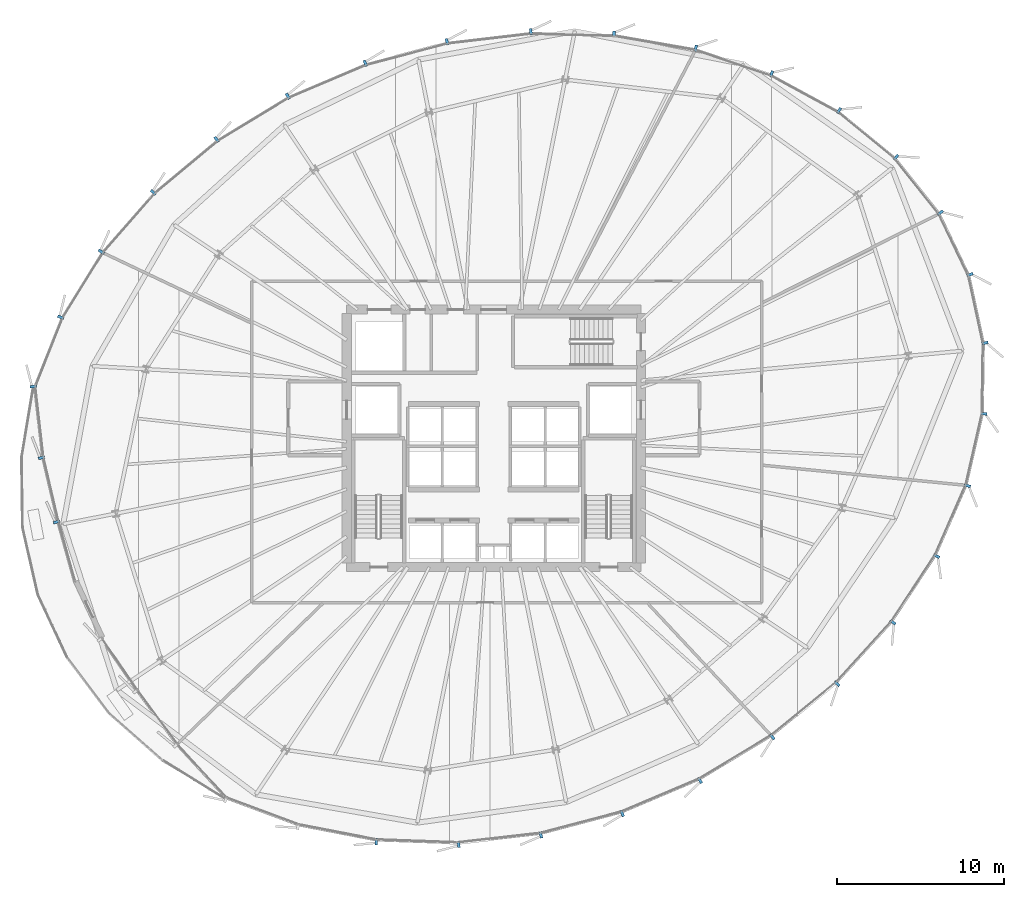
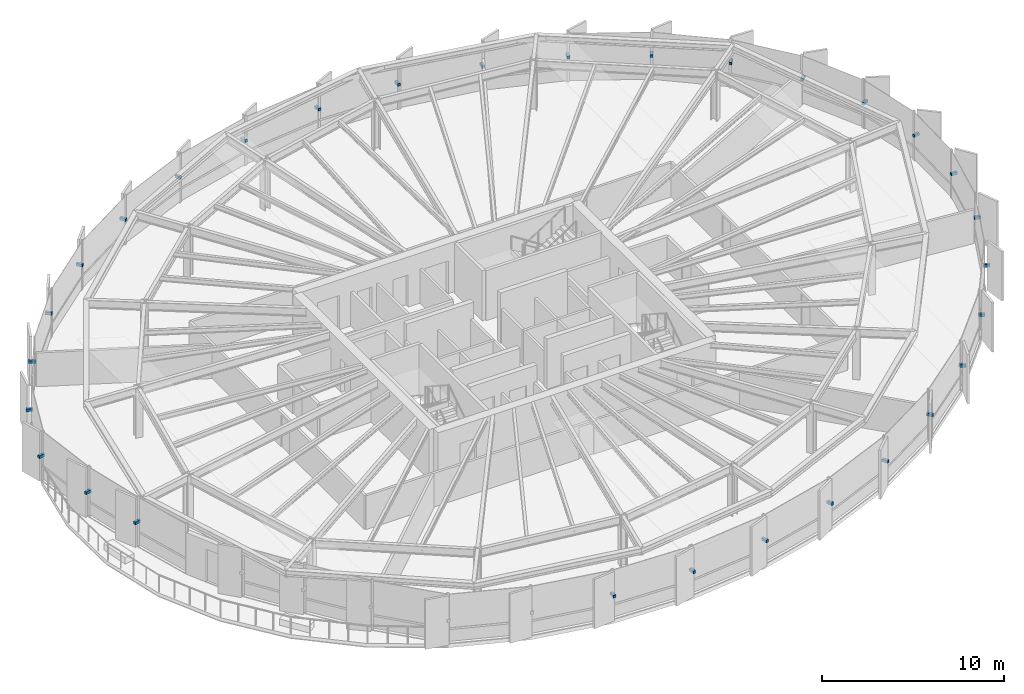
# One storey, part 29 of 33: 30 discrete accessories.
"""IFC4 building model written with IfcOpenShell, lengths in metres."""

from ifc_helpers import new_model, si_unit, direction, frame, origin, origin_2d, place, context, subcontext, project, spatial, rectangle, extrude, source, transform, mapped, material, type_object, element, save


model = new_model("IFC4")

# Units and contexts
model_context = context("Model", 3, precision=1e-05, world=origin(), true_north=direction((0.0, 1.0)))
body_context = subcontext(model_context, "Body", "Model", "MODEL_VIEW")
ifc_project = project(units=[si_unit("LENGTHUNIT", "METRE"), si_unit("AREAUNIT", "SQUARE_METRE"), si_unit("VOLUMEUNIT", "CUBIC_METRE"), si_unit("PLANEANGLEUNIT", "RADIAN"), si_unit("MASSUNIT", "GRAM", prefix="KILO"), si_unit("THERMODYNAMICTEMPERATUREUNIT", "KELVIN")], contexts=[model_context])

# Site, building, storey
site_placement = place(None, origin())
site = spatial("IfcSite", under=ifc_project, at=site_placement, CompositionType="ELEMENT")
building_placement = place(site_placement, origin())
building = spatial("IfcBuilding", under=site, at=building_placement, Name="Kethvar Cultural Tower", CompositionType="ELEMENT")
storey_placement = place(building_placement, frame((0.0, 0.0, 110.800048828125)))
storey = spatial("IfcBuildingStorey", under=building, at=storey_placement, Name="L27", CompositionType="ELEMENT", Elevation=110.800048828125)

# Discrete accessories
ifc_material = material(Name="Steel S355J2", Category="steel")
discrete_accessory_type = type_object("IfcDiscreteAccessoryType", Name="Steel Fin Bracket BRK-01", PredefinedType="BRACKET", material=ifc_material)
shared_shape = source(origin(), body_context, "Body", "SweptSolid", [
    extrude(rectangle(XDim=0.3798828125, YDim=0.159912109375, at=origin_2d()), origin(), (0.0, 0.0, 1.0), 0.179931640625),
])
for number, where, z_axis, x_axis, name in (
    (1, (75.28857421875, 37.595947265625, 1.5849609375), (0.0, 0.0, 1.0), (0.90175709948, 0.432243141689, 0.0), "L27 Terracotta Fin Bracket 1.1"),
    (2, (73.512451171875, 41.30078125, 1.5849609375), (0.0, 0.0, 1.0), (0.781084731878, 0.624425048846, 0.0), "L27 Terracotta Fin Bracket 1.2"),
    (3, (70.862548828125, 44.61474609375, 1.5849609375), (0.0, 0.0, 1.0), (0.633650955225, 0.773619070953, 0.0), "L27 Terracotta Fin Bracket 1.3"),
    (4, (67.452880859375, 47.40771484375, 1.5849609375), (0.0, 0.0, 1.0), (0.47715876026, 0.878817112662, 0.0), "L27 Terracotta Fin Bracket 1.4"),
    (5, (63.409912109375, 49.602783203125, 1.5849609375), (0.0, 0.0, 1.0), (0.321935232675, 0.946761694389, 0.0), "L27 Terracotta Fin Bracket 1.5"),
    (6, (58.88232421875, 51.142333984375, 1.5849609375), (0.0, 0.0, 1.0), (0.171585221787, 0.985169280715, 0.0), "L27 Terracotta Fin Bracket 1.6"),
    (7, (53.99169921875, 51.988525390625, 1.5849609375), (0.0, 0.0, 1.0), (0.026002474793, 0.999661878489, 0.0), "L27 Terracotta Fin Bracket 2.1"),
    (8, (49.018310546875, 52.117919921875, 1.5849609375), (0.0, 0.0, 1.0), (-0.116150698194, 0.993231602049, 0.0), "L27 Terracotta Fin Bracket 2.2"),
    (9, (44.0, 51.530517578125, 1.5849609375), (0.0, 0.0, 1.0), (-0.255614496558, 0.966778790184, 0.0), "L27 Terracotta Fin Bracket 2.3"),
    (10, (39.11669921875, 50.2392578125, 1.5849609375), (0.0, 0.0, 1.0), (-0.390731128489, 0.920504853452, 0.0), "L27 Terracotta Fin Bracket 2.4"),
    (11, (34.480712890625, 48.27099609375, 1.5849609375), (0.0, 0.0, 1.0), (-0.519369972768, 0.854549490308, 0.0), "L27 Terracotta Fin Bracket 2.5"),
    (12, (30.21923828125, 45.680908203125, 1.5849609375), (0.0, 0.0, 1.0), (-0.640377842023, 0.768060036355, 0.0), "L27 Terracotta Fin Bracket 2.6"),
    (13, (26.435546875, 42.518310546875, 1.5849609375), (0.0, 0.0, 1.0), (-0.751954873581, 0.659214584257, 0.0), "L27 Terracotta Fin Bracket 3.1"),
    (14, (23.3212890625, 38.966064453125, 1.5849609375), (0.0, 0.0, 1.0), (-0.850260370389, 0.526362330098, 0.0), "L27 Terracotta Fin Bracket 3.2"),
    (15, (20.89453125, 35.045166015625, 1.5849609375), (0.0, 0.0, 1.0), (-0.929776485888, 0.368124552685, 0.0), "L27 Terracotta Fin Bracket 3.3"),
    (16, (19.2548828125, 30.90087890625, 1.5849609375), (0.0, 0.0, 1.0), (-0.993452764783, -0.114243617521, 0.0), "L27 Terracotta Fin Bracket 3.4"),
    (17, (19.7451171875, 26.6416015625, 1.5849609375), (0.0, 0.0, 1.0), (-0.97349913407, -0.228690699339, 0.0), "L27 Terracotta Fin Bracket 3.5"),
    (18, (20.6474609375, 22.80126953125, 1.5849609375), (0.0, 0.0, 1.0), (-0.963350073517, -0.268247340815, 0.0), "L27 Terracotta Fin Bracket 3.6"),
    (19, (39.769775390625, 3.68115234375, 1.5849609375), (0.0, 0.0, 1.0), (-0.035248347778, -0.99937858391, 0.0), "L27 Terracotta Fin Bracket 4.6"),
    (20, (44.6982421875, 3.51318359375, 1.5849609375), (0.0, 0.0, 1.0), (0.113376623045, -0.993552082856, 0.0), "L27 Terracotta Fin Bracket 5.1"),
    (21, (49.614013671875, 4.074462890625, 1.5849609375), (0.0, 0.0, 1.0), (0.255445757936, -0.966823388604, 0.0), "L27 Terracotta Fin Bracket 5.2"),
    (22, (54.4833984375, 5.36083984375, 1.5849609375), (0.0, 0.0, 1.0), (0.390570464134, -0.920573034879, 0.0), "L27 Terracotta Fin Bracket 5.3"),
    (23, (59.133544921875, 7.333740234375, 1.5849609375), (0.0, 0.0, 1.0), (0.516981598438, -0.855996511019, 0.0), "L27 Terracotta Fin Bracket 5.4"),
    (24, (63.45849609375, 9.945556640625, 1.5849609375), (0.0, 0.0, 1.0), (0.633245802386, -0.773950743756, 0.0), "L27 Terracotta Fin Bracket 5.5"),
    (25, (67.33935546875, 13.120849609375, 1.5849609375), (0.0, 0.0, 1.0), (0.739396124237, -0.673270652459, 0.0), "L27 Terracotta Fin Bracket 5.6"),
    (26, (70.676025390625, 16.794921875, 1.5849609375), (0.0, 0.0, 1.0), (0.834655658378, -0.550772123421, 0.0), "L27 Terracotta Fin Bracket 6.1"),
    (27, (73.288330078125, 20.754150390625, 1.5849609375), (0.0, 0.0, 1.0), (0.91566259334, -0.401947776656, 0.0), "L27 Terracotta Fin Bracket 6.2"),
    (28, (75.137451171875, 24.966796875, 1.5849609375), (0.0, 0.0, 1.0), (0.974839063795, -0.222909846572, 0.0), "L27 Terracotta Fin Bracket 6.3"),
    (29, (76.119384765625, 29.263916015625, 1.5849609375), (0.0, 0.0, 1.0), (0.999892532899, -0.01466024053, 0.0), "L27 Terracotta Fin Bracket 6.4"),
    (30, (76.181396484375, 33.5068359375, 1.5849609375), (0.0, 0.0, 1.0), (0.977452762534, 0.211154201982, 0.0), "L27 Terracotta Fin Bracket 6.5"),
):
    element("IfcDiscreteAccessory", number, at=place(storey_placement, frame(where, z_axis=z_axis, x_axis=x_axis)), inside=storey, type_object=discrete_accessory_type, Name=name, PredefinedType="BRACKET", context=body_context, shape_type="MappedRepresentation", body=[
        mapped(shared_shape, transform((0.0, 0.0, 0.0), scale=1.0)),
    ])

save(model, "model.ifc")
